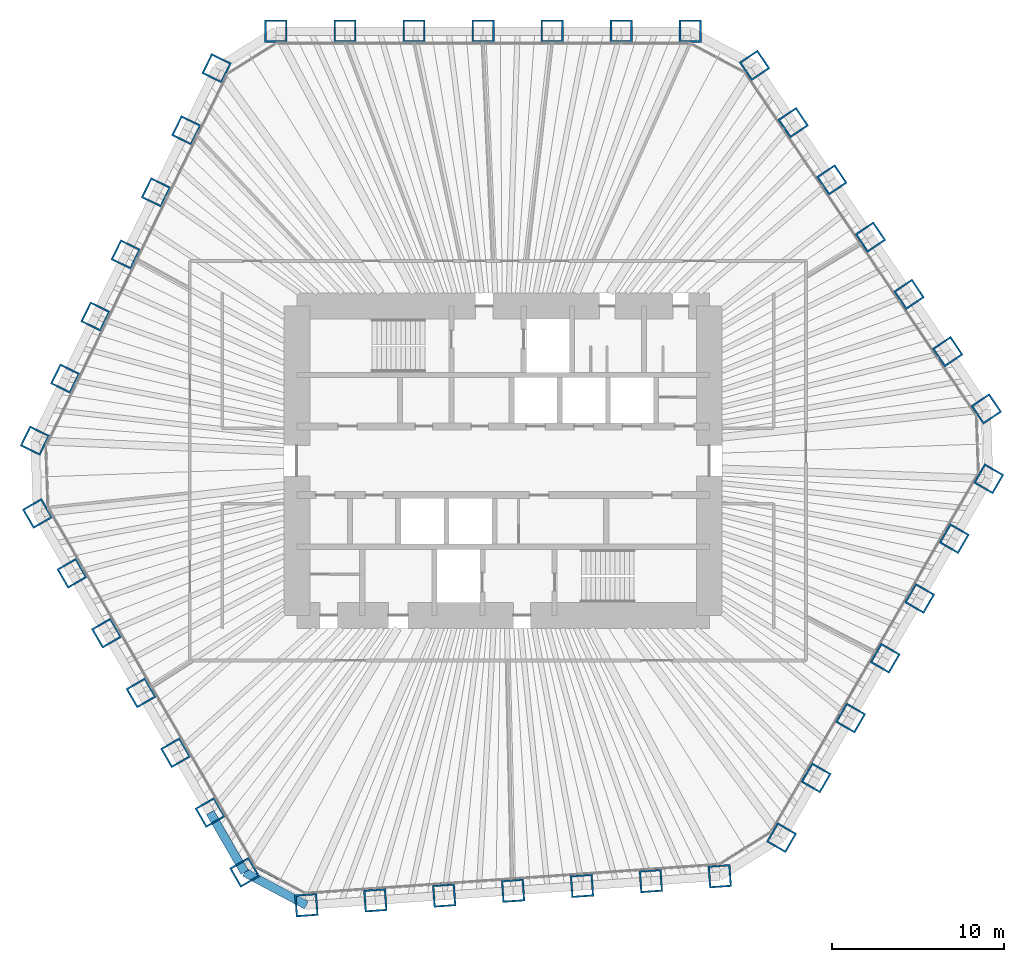
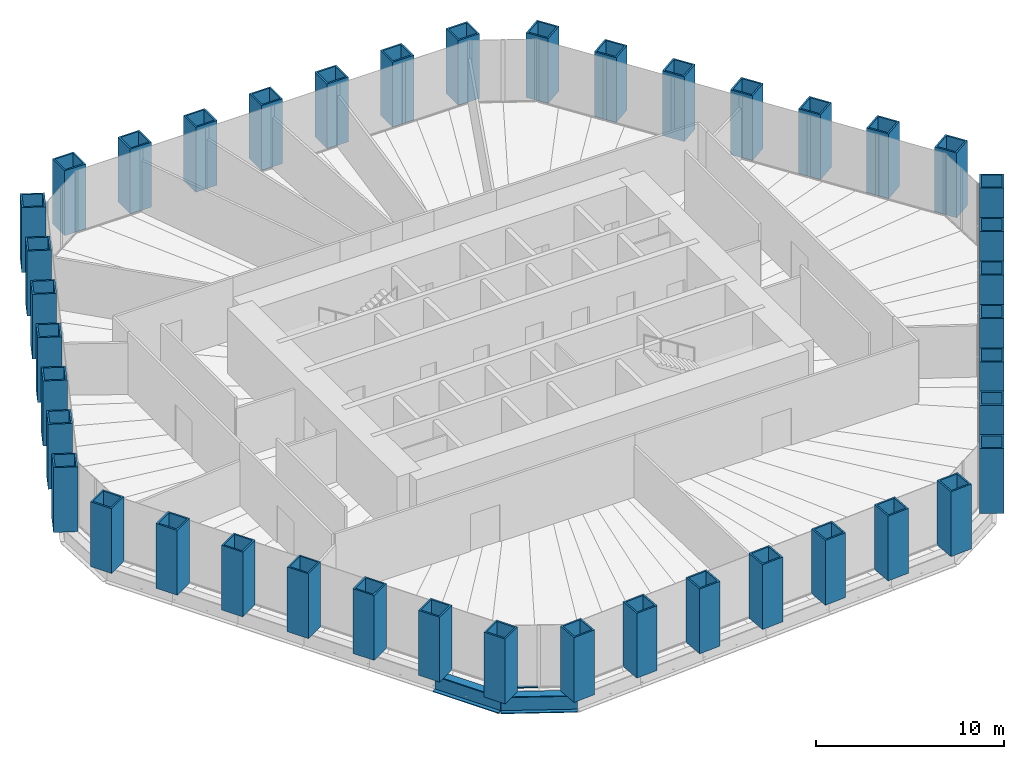
# One storey, part 1 of 13: 42 columns, 2 beams, 1 member, 1 element without a shape of its own.
"""IFC4 building model written with IfcOpenShell, lengths in metres."""

from ifc_helpers import new_model, si_unit, direction, frame, origin, origin_2d, place, context, subcontext, project, spatial, rectangle, hollow_rectangle, i_section, extrude, material, material_profile, profile_set, type_object, element, aggregate, save


model = new_model("IFC4")

# Units and contexts
model_context = context("Model", 3, precision=1e-05, world=origin(), true_north=direction((0.0, 1.0)))
body_context = subcontext(model_context, "Body", "Model", "MODEL_VIEW")
ifc_project = project(units=[si_unit("LENGTHUNIT", "METRE"), si_unit("AREAUNIT", "SQUARE_METRE"), si_unit("VOLUMEUNIT", "CUBIC_METRE"), si_unit("PLANEANGLEUNIT", "RADIAN"), si_unit("MASSUNIT", "GRAM", prefix="KILO")], contexts=[model_context])

# Site, building, storey
site_placement = place(None, origin())
site = spatial("IfcSite", under=ifc_project, at=site_placement, CompositionType="ELEMENT")
building_placement = place(site_placement, origin())
building = spatial("IfcBuilding", under=site, at=building_placement, Name="Qingtian Harvest Tower", CompositionType="ELEMENT")
storey_placement = place(building_placement, frame((0.0, 0.0, 136.60009765625)))
storey = spatial("IfcBuildingStorey", under=building, at=storey_placement, Name="L28", CompositionType="ELEMENT", Elevation=136.60009765625)

# Columns
ifc_material_1 = material(Name="Steel SM570MC", Category="steel")
ifc_material_profile_1 = material_profile(ifc_material_1, hollow_rectangle(XDim=1.300048828125, YDim=1.300048828125, WallThickness=0.10009765625, at=origin_2d()), Name="BOX1300x1300x100")
ifc_profile_set_1 = profile_set([ifc_material_profile_1], Name="Steel SM570MC")
column_type = type_object("IfcColumnType", Name="Tube column TC3 BOX1300x1300x100", PredefinedType="COLUMN", material=ifc_profile_set_1)
for number, where, z_axis, x_axis, name in (
    (1, (-13.2216796875, 25.0, 0.0), (0.0, 0.0, 1.0), (-1.0, 0.0, 0.0), "Tube column TC3 N0"),
    (2, (-9.20263671875, 25.0, 0.0), (0.0, 0.0, 1.0), (-1.0, 0.0, 0.0), "Tube column TC3 N1"),
    (3, (-5.18359375, 25.0, 0.0), (0.0, 0.0, 1.0), (-1.0, 0.0, 0.0), "Tube column TC3 N2"),
    (4, (-1.16455078125, 25.0, 0.0), (0.0, 0.0, 1.0), (-1.0, 0.0, 0.0), "Tube column TC3 N3"),
    (5, (2.8544921875, 25.0, 0.0), (0.0, 0.0, 1.0), (-1.0, 0.0, 0.0), "Tube column TC3 N4"),
    (6, (6.873779296875, 25.0, 0.0), (0.0, 0.0, 1.0), (-1.0, 0.0, 0.0), "Tube column TC3 N5"),
    (7, (10.892822265625, 25.0, 0.0), (0.0, 0.0, 1.0), (-1.0, 0.0, 0.0), "Tube column TC3 N6"),
    (8, (14.634765625, 23.01025390625, 0.0), (0.0, 0.0, 1.0), (-0.559192903471, 0.829037572555, 0.0), "Tube column TC3 NE0"),
    (9, (16.88232421875, 19.67822265625, 0.0), (0.0, 0.0, 1.0), (-0.559192903471, 0.829037572555, 0.0), "Tube column TC3 NE1"),
    (10, (19.129638671875, 16.346435546875, 0.0), (0.0, 0.0, 1.0), (-0.559192903471, 0.829037572555, 0.0), "Tube column TC3 NE2"),
    (11, (21.377197265625, 13.014404296875, 0.0), (0.0, 0.0, 1.0), (-0.559192903471, 0.829037572555, 0.0), "Tube column TC3 NE3"),
    (12, (23.62451171875, 9.682373046875, 0.0), (0.0, 0.0, 1.0), (-0.559192903471, 0.829037572555, 0.0), "Tube column TC3 NE4"),
    (13, (25.8720703125, 6.3505859375, 0.0), (0.0, 0.0, 1.0), (-0.559192903471, 0.829037572555, 0.0), "Tube column TC3 NE5"),
    (14, (28.119384765625, 3.0185546875, 0.0), (0.0, 0.0, 1.0), (-0.559192903471, 0.829037572555, 0.0), "Tube column TC3 NE6"),
    (15, (28.261474609375, -1.049560546875, 0.0), (0.0, 0.0, 1.0), (0.5, 0.866025403784, 0.0), "Tube column TC3 SE0"),
    (16, (26.251953125, -4.5302734375, 0.0), (0.0, 0.0, 1.0), (0.5, 0.866025403784, 0.0), "Tube column TC3 SE1"),
    (17, (24.242431640625, -8.010986328125, 0.0), (0.0, 0.0, 1.0), (0.5, 0.866025403784, 0.0), "Tube column TC3 SE2"),
    (18, (22.23291015625, -11.491455078125, 0.0), (0.0, 0.0, 1.0), (0.5, 0.866025403784, 0.0), "Tube column TC3 SE3"),
    (19, (20.223388671875, -14.97216796875, 0.0), (0.0, 0.0, 1.0), (0.5, 0.866025403784, 0.0), "Tube column TC3 SE4"),
    (20, (18.2138671875, -18.452880859375, 0.0), (0.0, 0.0, 1.0), (0.5, 0.866025403784, 0.0), "Tube column TC3 SE5"),
    (21, (16.204345703125, -21.933349609375, 0.0), (0.0, 0.0, 1.0), (0.5, 0.866025403784, 0.0), "Tube column TC3 SE6"),
    (22, (12.610107421875, -24.17919921875, 0.0), (0.0, 0.0, 1.0), (0.99756405026, 0.069756473744, 0.0), "Tube column TC3 S0"),
    (23, (8.600830078125, -24.459716796875, 0.0), (0.0, 0.0, 1.0), (0.99756405026, 0.069756473744, 0.0), "Tube column TC3 S1"),
    (24, (4.591552734375, -24.739990234375, 0.0), (0.0, 0.0, 1.0), (0.99756405026, 0.069756473744, 0.0), "Tube column TC3 S2"),
    (25, (0.582275390625, -25.020263671875, 0.0), (0.0, 0.0, 1.0), (0.99756405026, 0.069756473744, 0.0), "Tube column TC3 S3"),
    (26, (-3.427001953125, -25.30078125, 0.0), (0.0, 0.0, 1.0), (0.99756405026, 0.069756473744, 0.0), "Tube column TC3 S4"),
    (27, (-7.436279296875, -25.5810546875, 0.0), (0.0, 0.0, 1.0), (0.99756405026, 0.069756473744, 0.0), "Tube column TC3 S5"),
    (28, (-11.445556640625, -25.861328125, 0.0), (0.0, 0.0, 1.0), (0.99756405026, 0.069756473744, 0.0), "Tube column TC3 S6"),
    (29, (-15.039794921875, -23.950439453125, 0.0), (0.0, 0.0, 1.0), (0.5, -0.866025403784, 0.0), "Tube column TC3 SW0"),
    (30, (-17.04931640625, -20.4697265625, 0.0), (0.0, 0.0, 1.0), (0.5, -0.866025403784, 0.0), "Tube column TC3 SW1"),
    (31, (-19.058837890625, -16.989013671875, 0.0), (0.0, 0.0, 1.0), (0.5, -0.866025403784, 0.0), "Tube column TC3 SW2"),
    (32, (-21.068359375, -13.508544921875, 0.0), (0.0, 0.0, 1.0), (0.5, -0.866025403784, 0.0), "Tube column TC3 SW3"),
    (33, (-23.077880859375, -10.02783203125, 0.0), (0.0, 0.0, 1.0), (0.5, -0.866025403784, 0.0), "Tube column TC3 SW4"),
    (34, (-25.08740234375, -6.547119140625, 0.0), (0.0, 0.0, 1.0), (0.5, -0.866025403784, 0.0), "Tube column TC3 SW5"),
    (35, (-27.096923828125, -3.066650390625, 0.0), (0.0, 0.0, 1.0), (0.5, -0.866025403784, 0.0), "Tube column TC3 SW6"),
    (36, (-27.244873046875, 1.1689453125, 0.0), (0.0, 0.0, 1.0), (-0.438371146789, -0.898794046299, 0.0), "Tube column TC3 NW0"),
    (37, (-25.483154296875, 4.78125, 0.0), (0.0, 0.0, 1.0), (-0.438371146789, -0.898794046299, 0.0), "Tube column TC3 NW1"),
    (38, (-23.72119140625, 8.3935546875, 0.0), (0.0, 0.0, 1.0), (-0.438371146789, -0.898794046299, 0.0), "Tube column TC3 NW2"),
    (39, (-21.95947265625, 12.005859375, 0.0), (0.0, 0.0, 1.0), (-0.438371146789, -0.898794046299, 0.0), "Tube column TC3 NW3"),
    (40, (-20.197509765625, 15.6181640625, 0.0), (0.0, 0.0, 1.0), (-0.438371146789, -0.898794046299, 0.0), "Tube column TC3 NW4"),
    (41, (-18.435791015625, 19.23046875, 0.0), (0.0, 0.0, 1.0), (-0.438371146789, -0.898794046299, 0.0), "Tube column TC3 NW5"),
    (42, (-16.673828125, 22.8427734375, 0.0), (0.0, 0.0, 1.0), (-0.438371146789, -0.898794046299, 0.0), "Tube column TC3 NW6"),
):
    element("IfcColumn", number, at=place(storey_placement, frame(where, z_axis=z_axis, x_axis=x_axis)), inside=storey, type_object=column_type, Name=name, PredefinedType="COLUMN", context=body_context, shape_type="SweptSolid", body=[
        extrude(hollow_rectangle(XDim=1.300048828125, YDim=1.300048828125, WallThickness=0.10009765625, at=origin_2d()), origin(), (0.0, 0.0, 1.0), 4.199951171875),
    ])

# Beams
ifc_material_2 = material(Name="Steel SM570MC", Category="steel")
ifc_material_profile_2 = material_profile(ifc_material_2, i_section(OverallWidth=0.5, OverallDepth=1.10009765625, WebThickness=0.02490234375, FlangeThickness=0.050048828125, at=origin_2d()), Name="H1100x500x25x50")
ifc_profile_set_2 = profile_set([ifc_material_profile_2], Name="Steel SM570MC")
beam_type = type_object("IfcBeamType", Name="Spandrel beam SB2 H1100x500x25x50", PredefinedType="SPANDREL", material=ifc_profile_set_2)
beam_1_placement = place(storey_placement, frame((-11.445556640625, -25.861328125, -0.550048828125), z_axis=(-0.882968133669, 0.469432929101, 0.0), x_axis=(-0.469432929101, -0.882968133669, 0.0)))
element("IfcBeam", 43, at=beam_1_placement, inside=storey, type_object=beam_type, Name="Spandrel SB2 SC", PredefinedType="SPANDREL", context=body_context, shape_type="SweptSolid", body=[
    extrude(i_section(OverallWidth=0.5, OverallDepth=1.10009765625, WebThickness=0.02490234375, FlangeThickness=0.050048828125, at=origin_2d()), origin(), (0.0, 0.0, 1.0), 4.070556640625),
])
beam_2_placement = place(storey_placement, frame((-15.039794921875, -23.950439453125, -0.550048828125), z_axis=(-0.499987116613, 0.866032841884, 0.0), x_axis=(-0.866032841884, -0.499987116613, 0.0)))
element("IfcBeam", 44, at=beam_2_placement, inside=storey, type_object=beam_type, Name="Spandrel SB2 SW0", PredefinedType="SPANDREL", context=body_context, shape_type="SweptSolid", body=[
    extrude(i_section(OverallWidth=0.5, OverallDepth=1.10009765625, WebThickness=0.02490234375, FlangeThickness=0.050048828125, at=origin_2d()), origin(), (0.0, 0.0, 1.0), 4.01904296875),
])

# Curtain wall, member
ifc_material_3 = material(Name="Bronze-anodised aluminium curtain wall", Category="aluminium")
curtain_wall_type = type_object("IfcCurtainWallType", Name="Curtain wall CW4 office", PredefinedType="USERDEFINED", material=ifc_material_3)
curtain_wall_placement = place(storey_placement, origin())
curtain_wall = element("IfcCurtainWall", 45, at=curtain_wall_placement, inside=storey, type_object=curtain_wall_type, Name="Curtain wall CW4 L28 SC", ObjectType="RECESSED CURTAIN WALL", PredefinedType="USERDEFINED")
ifc_material_4 = material(Name="Bronze-anodised aluminium transom", Category="aluminium")
ifc_material_profile_3 = material_profile(ifc_material_4, rectangle(XDim=0.14990234375, YDim=0.06494140625, at=origin_2d()), Name="AL 65x150")
ifc_profile_set_3 = profile_set([ifc_material_profile_3], Name="Bronze-anodised aluminium transom")
member_type = type_object("IfcMemberType", Name="Transom CWT 65x150", PredefinedType="USERDEFINED", material=ifc_profile_set_3)
member_placement = place(storey_placement, frame((-12.99267578125, -24.366455078125, 0.032470703125), z_axis=(-0.882960338349, 0.46944759122, 0.0), x_axis=(-0.46944759122, -0.882960338349, 0.0)))
member = element("IfcMember", 46, at=member_placement, type_object=member_type, Name="CW4 transom 2.1", ObjectType="TRANSOM", PredefinedType="USERDEFINED", context=body_context, shape_type="SweptSolid", body=[
    extrude(rectangle(XDim=0.14990234375, YDim=0.06494140625, at=origin_2d()), origin(), (0.0, 0.0, 1.0), 1.56689453125),
])
aggregate(curtain_wall, [member])

save(model, "model.ifc")
